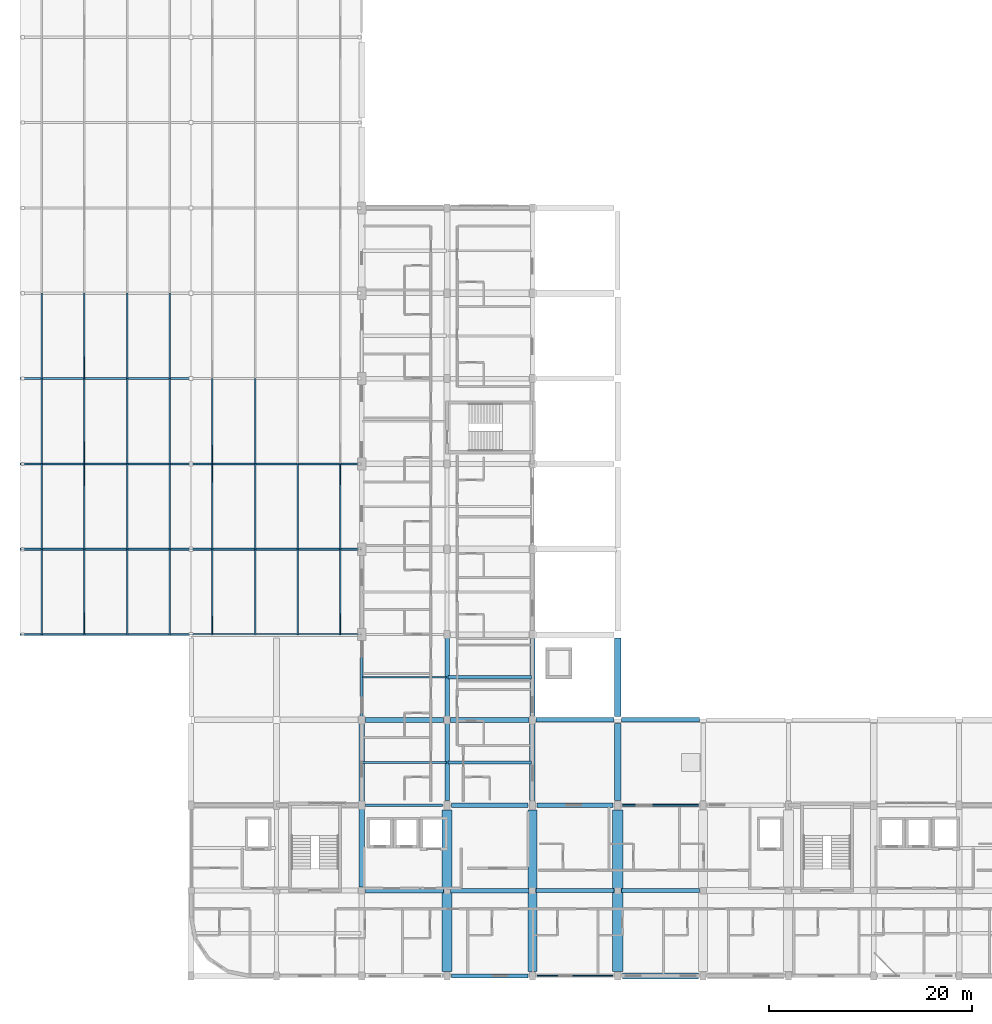
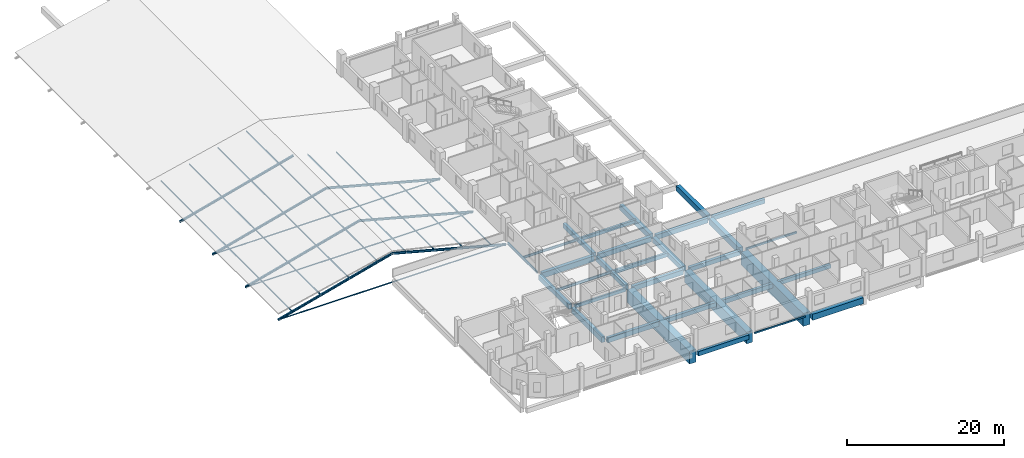
# One storey, part 3 of 42: 36 members, 31 beams.
"""IFC4 building model written with IfcOpenShell, lengths in metres."""

from ifc_helpers import new_model, si_unit, derived_unit, direction, frame, origin, origin_2d, place, context, subcontext, project, spatial, rectangle, hollow_rectangle, hollow_circle, i_section, extrude, material, material_profile, profile_set, type_object, element, save


model = new_model("IFC4")

# Units and contexts
model_context = context("Model", 3, precision=1e-05, world=origin(), true_north=direction((0.0, 1.0)))
body_context = subcontext(model_context, "Body", "Model", "MODEL_VIEW")
ifc_project = project(units=[si_unit("LENGTHUNIT", "METRE"), si_unit("AREAUNIT", "SQUARE_METRE"), si_unit("VOLUMEUNIT", "CUBIC_METRE"), si_unit("PLANEANGLEUNIT", "RADIAN"), si_unit("MASSUNIT", "GRAM", prefix="KILO"), derived_unit("THERMALTRANSMITTANCEUNIT", [(si_unit("POWERUNIT", "WATT"), 1), (si_unit("LENGTHUNIT", "METRE"), -2), (si_unit("THERMODYNAMICTEMPERATUREUNIT", "KELVIN"), -1)])], contexts=[model_context])

# Site, building, storey
site_placement = place(None, origin())
site = spatial("IfcSite", under=ifc_project, at=site_placement, CompositionType="ELEMENT")
building_placement = place(site_placement, origin())
building = spatial("IfcBuilding", under=site, at=building_placement, Name="Barrovel Congress Hotel", CompositionType="ELEMENT")
storey_placement = place(building_placement, frame((0.0, 0.0, 18.300048828125)))
storey = spatial("IfcBuildingStorey", under=building, at=storey_placement, Name="L04", CompositionType="ELEMENT", Elevation=18.300048828125)

# Beams
ifc_material_1 = material(Name="Concrete C40", Category="concrete")
ifc_material_profile_1 = material_profile(ifc_material_1, rectangle(XDim=0.25, YDim=0.5, at=origin_2d()), Name="RC250x500")
ifc_profile_set_1 = profile_set([ifc_material_profile_1], Name="Concrete C40")
beam_type_1 = type_object("IfcBeamType", Name="BM-RC250x500", PredefinedType="SPANDREL", material=ifc_profile_set_1)
beam_1_placement = place(storey_placement, frame((33.949951171875, 21.0, -0.550048828125), z_axis=(1.0, 0.0, 0.0), x_axis=(0.0, 1.0, 0.0)))
element("IfcBeam", 1, at=beam_1_placement, inside=storey, type_object=beam_type_1, Name="BMX:L04:21.0:33.6-42.0", PredefinedType="SPANDREL", context=body_context, shape_type="SweptSolid", body=[
    extrude(rectangle(XDim=0.25, YDim=0.5, at=origin_2d()), origin(), (0.0, 0.0, 1.0), 7.60009765625),
])
ifc_material_profile_2 = material_profile(ifc_material_1, rectangle(XDim=0.300048828125, YDim=0.5, at=origin_2d()), Name="RC300x500")
ifc_profile_set_2 = profile_set([ifc_material_profile_2], Name="Concrete C40")
beam_type_2 = type_object("IfcBeamType", Name="BM-RC300x500", PredefinedType="JOIST", material=ifc_profile_set_2)
beam_2_placement = place(storey_placement, frame((42.080078125, 33.60009765625, -0.550048828125), z_axis=(1.0, 0.0, 0.0), x_axis=(0.0, 1.0, 0.0)))
element("IfcBeam", 2, at=beam_2_placement, inside=storey, type_object=beam_type_2, Name="JST:L04:42.0:33.6", PredefinedType="JOIST", context=body_context, shape_type="SweptSolid", body=[
    extrude(rectangle(XDim=0.300048828125, YDim=0.5, at=origin_2d()), origin(), (0.0, 0.0, 1.0), 8.239990234375),
])
ifc_material_profile_3 = material_profile(ifc_material_1, rectangle(XDim=0.300048828125, YDim=0.60009765625, at=origin_2d()), Name="RC300x600")
ifc_profile_set_3 = profile_set([ifc_material_profile_3], Name="Concrete C40")
beam_type_3 = type_object("IfcBeamType", Name="BM-RC300x600", PredefinedType="JOIST", material=ifc_profile_set_3)
beam_3_placement = place(storey_placement, frame((42.080078125, 25.199951171875, -0.60009765625), z_axis=(1.0, 0.0, 0.0), x_axis=(0.0, 1.0, 0.0)))
element("IfcBeam", 3, at=beam_3_placement, inside=storey, type_object=beam_type_3, Name="JST:L04:42.0:25.2", PredefinedType="JOIST", context=body_context, shape_type="SweptSolid", body=[
    extrude(rectangle(XDim=0.300048828125, YDim=0.60009765625, at=origin_2d()), origin(), (0.0, 0.0, 1.0), 8.239990234375),
])
ifc_material_profile_4 = material_profile(ifc_material_1, rectangle(XDim=0.39990234375, YDim=0.60009765625, at=origin_2d()), Name="RC400x600")
ifc_profile_set_4 = profile_set([ifc_material_profile_4], Name="Concrete C40")
beam_type_4 = type_object("IfcBeamType", Name="BM-RC400x600", PredefinedType="BEAM", material=ifc_profile_set_4)
beam_4_placement = place(storey_placement, frame((59.14990234375, 12.60009765625, -0.60009765625), z_axis=(1.0, 0.0, 0.0), x_axis=(0.0, 1.0, 0.0)))
element("IfcBeam", 4, at=beam_4_placement, inside=storey, type_object=beam_type_4, Name="BMX:L04:12.6:58.8-67.2", PredefinedType="BEAM", context=body_context, shape_type="SweptSolid", body=[
    extrude(rectangle(XDim=0.39990234375, YDim=0.60009765625, at=origin_2d()), origin(), (0.0, 0.0, 1.0), 7.7001953125),
])
ifc_material_profile_5 = material_profile(ifc_material_1, rectangle(XDim=0.39990234375, YDim=0.699951171875, at=origin_2d()), Name="RC400x700")
ifc_profile_set_5 = profile_set([ifc_material_profile_5], Name="Concrete C40")
beam_type_5 = type_object("IfcBeamType", Name="BM-RC400x700", PredefinedType="BEAM", material=ifc_profile_set_5)
beam_5_placement = place(storey_placement, frame((42.449951171875, 4.199951171875, -0.650146484375), z_axis=(1.0, 0.0, 0.0), x_axis=(0.0, 1.0, 0.0)))
element("IfcBeam", 5, at=beam_5_placement, inside=storey, type_object=beam_type_5, Name="BMX:L04:4.2:42.0-50.4", PredefinedType="BEAM", context=body_context, shape_type="SweptSolid", body=[
    extrude(rectangle(XDim=0.39990234375, YDim=0.699951171875, at=origin_2d()), origin(), (0.0, 0.0, 1.0), 7.5),
])
beam_6_placement = place(storey_placement, frame((50.75, 12.60009765625, -0.650146484375), z_axis=(1.0, 0.0, 0.0), x_axis=(0.0, 1.0, 0.0)))
element("IfcBeam", 6, at=beam_6_placement, inside=storey, type_object=beam_type_5, Name="BMX:L04:12.6:50.4-58.8", PredefinedType="BEAM", context=body_context, shape_type="SweptSolid", body=[
    extrude(rectangle(XDim=0.39990234375, YDim=0.699951171875, at=origin_2d()), origin(), (0.0, 0.0, 1.0), 7.699951171875),
])
ifc_material_profile_6 = material_profile(ifc_material_1, rectangle(XDim=0.449951171875, YDim=0.64990234375, at=origin_2d()), Name="RC450x650")
ifc_profile_set_6 = profile_set([ifc_material_profile_6], Name="Concrete C40")
beam_type_6 = type_object("IfcBeamType", Name="BM-RC450x650", PredefinedType="BEAM", material=ifc_profile_set_6)
beam_7_placement = place(storey_placement, frame((42.35009765625, 12.60009765625, -0.625), z_axis=(1.0, 0.0, 0.0), x_axis=(0.0, 1.0, 0.0)))
element("IfcBeam", 7, at=beam_7_placement, inside=storey, type_object=beam_type_6, Name="BMX:L04:12.6:42.0-50.4", PredefinedType="BEAM", context=body_context, shape_type="SweptSolid", body=[
    extrude(rectangle(XDim=0.449951171875, YDim=0.64990234375, at=origin_2d()), origin(), (0.0, 0.0, 1.0), 7.699951171875),
])
beam_8_placement = place(storey_placement, frame((50.85009765625, 21.0, -0.625), z_axis=(1.0, 0.0, 0.0), x_axis=(0.0, 1.0, 0.0)))
element("IfcBeam", 8, at=beam_8_placement, inside=storey, type_object=beam_type_6, Name="BMX:L04:21.0:50.4-58.8", PredefinedType="BEAM", context=body_context, shape_type="SweptSolid", body=[
    extrude(rectangle(XDim=0.449951171875, YDim=0.64990234375, at=origin_2d()), origin(), (0.0, 0.0, 1.0), 7.5),
])
beam_9_placement = place(storey_placement, frame((59.14990234375, 29.39990234375, -0.625), z_axis=(1.0, 0.0, 0.0), x_axis=(0.0, 1.0, 0.0)))
element("IfcBeam", 9, at=beam_9_placement, inside=storey, type_object=beam_type_6, Name="BMX:L04:29.4:58.8-67.2", PredefinedType="BEAM", context=body_context, shape_type="SweptSolid", body=[
    extrude(rectangle(XDim=0.449951171875, YDim=0.64990234375, at=origin_2d()), origin(), (0.0, 0.0, 1.0), 7.7001953125),
])
beam_10_placement = place(storey_placement, frame((42.0, 29.75, -0.625), z_axis=(0.0, 1.0, 0.0), x_axis=(-1.0, 0.0, 0.0)))
element("IfcBeam", 10, at=beam_10_placement, inside=storey, type_object=beam_type_6, Name="BMY:L04:42.0:29.4-37.8", PredefinedType="BEAM", context=body_context, shape_type="SweptSolid", body=[
    extrude(rectangle(XDim=0.449951171875, YDim=0.64990234375, at=origin_2d()), origin(), (0.0, 0.0, 1.0), 7.699951171875),
])
ifc_material_profile_7 = material_profile(ifc_material_1, rectangle(XDim=0.449951171875, YDim=0.75, at=origin_2d()), Name="RC450x750")
ifc_profile_set_7 = profile_set([ifc_material_profile_7], Name="Concrete C40")
beam_type_7 = type_object("IfcBeamType", Name="BM-RC450x750", PredefinedType="BEAM", material=ifc_profile_set_7)
beam_11_placement = place(storey_placement, frame((33.949951171875, 12.60009765625, -0.675048828125), z_axis=(1.0, 0.0, 0.0), x_axis=(0.0, 1.0, 0.0)))
element("IfcBeam", 11, at=beam_11_placement, inside=storey, type_object=beam_type_7, Name="BMX:L04:12.6:33.6-42.0", PredefinedType="BEAM", context=body_context, shape_type="SweptSolid", body=[
    extrude(rectangle(XDim=0.449951171875, YDim=0.75, at=origin_2d()), origin(), (0.0, 0.0, 1.0), 7.699951171875),
])
beam_12_placement = place(storey_placement, frame((42.449951171875, 21.0, -0.675048828125), z_axis=(1.0, 0.0, 0.0), x_axis=(0.0, 1.0, 0.0)))
element("IfcBeam", 12, at=beam_12_placement, inside=storey, type_object=beam_type_7, Name="BMX:L04:21.0:42.0-50.4", PredefinedType="BEAM", context=body_context, shape_type="SweptSolid", body=[
    extrude(rectangle(XDim=0.449951171875, YDim=0.75, at=origin_2d()), origin(), (0.0, 0.0, 1.0), 7.5),
])
beam_13_placement = place(storey_placement, frame((50.75, 29.39990234375, -0.675048828125), z_axis=(1.0, 0.0, 0.0), x_axis=(0.0, 1.0, 0.0)))
element("IfcBeam", 13, at=beam_13_placement, inside=storey, type_object=beam_type_7, Name="BMX:L04:29.4:50.4-58.8", PredefinedType="BEAM", context=body_context, shape_type="SweptSolid", body=[
    extrude(rectangle(XDim=0.449951171875, YDim=0.75, at=origin_2d()), origin(), (0.0, 0.0, 1.0), 7.699951171875),
])
beam_14_placement = place(storey_placement, frame((42.0, 21.449951171875, -0.675048828125), z_axis=(0.0, 1.0, 0.0), x_axis=(-1.0, 0.0, 0.0)))
element("IfcBeam", 14, at=beam_14_placement, inside=storey, type_object=beam_type_7, Name="BMY:L04:42.0:21.0-29.4", PredefinedType="BEAM", context=body_context, shape_type="SweptSolid", body=[
    extrude(rectangle(XDim=0.449951171875, YDim=0.75, at=origin_2d()), origin(), (0.0, 0.0, 1.0), 7.60009765625),
])
ifc_material_profile_8 = material_profile(ifc_material_1, rectangle(XDim=0.5, YDim=0.75, at=origin_2d()), Name="RC500x750")
ifc_profile_set_8 = profile_set([ifc_material_profile_8], Name="Concrete C40")
beam_type_8 = type_object("IfcBeamType", Name="BM-RC500x750", PredefinedType="BEAM", material=ifc_profile_set_8)
for number, where, z_axis, x_axis, name in (
    (15, (42.35009765625, 29.39990234375, -0.675048828125), (1.0, 0.0, 0.0), (0.0, 1.0, 0.0), "BMX:L04:29.4:42.0-50.4"),
    (16, (33.60009765625, 21.35009765625, -0.675048828125), (0.0, 1.0, 0.0), (-1.0, 0.0, 0.0), "BMY:L04:33.6:21.0-29.4"),
):
    element("IfcBeam", number, at=place(storey_placement, frame(where, z_axis=z_axis, x_axis=x_axis)), inside=storey, type_object=beam_type_8, Name=name, PredefinedType="BEAM", context=body_context, shape_type="SweptSolid", body=[
        extrude(rectangle(XDim=0.5, YDim=0.75, at=origin_2d()), origin(), (0.0, 0.0, 1.0), 7.699951171875),
    ])
ifc_material_profile_9 = material_profile(ifc_material_1, rectangle(XDim=0.5, YDim=0.85009765625, at=origin_2d()), Name="RC500x850")
ifc_profile_set_9 = profile_set([ifc_material_profile_9], Name="Concrete C40")
beam_type_9 = type_object("IfcBeamType", Name="BM-RC500x850", PredefinedType="BEAM", material=ifc_profile_set_9)
for number, where, z_axis, x_axis, name in (
    (17, (33.949951171875, 29.39990234375, -0.72509765625), (1.0, 0.0, 0.0), (0.0, 1.0, 0.0), "BMX:L04:29.4:33.6-42.0"),
    (18, (33.60009765625, 12.949951171875, -0.72509765625), (0.0, 1.0, 0.0), (-1.0, 0.0, 0.0), "BMY:L04:33.6:12.6-21.0"),
    (19, (50.39990234375, 29.75, -0.72509765625), (0.0, 1.0, 0.0), (-1.0, 0.0, 0.0), "BMY:L04:50.4:29.4-37.8"),
):
    element("IfcBeam", number, at=place(storey_placement, frame(where, z_axis=z_axis, x_axis=x_axis)), inside=storey, type_object=beam_type_9, Name=name, PredefinedType="BEAM", context=body_context, shape_type="SweptSolid", body=[
        extrude(rectangle(XDim=0.5, YDim=0.85009765625, at=origin_2d()), origin(), (0.0, 0.0, 1.0), 7.699951171875),
    ])
ifc_material_profile_10 = material_profile(ifc_material_1, rectangle(XDim=0.550048828125, YDim=0.800048828125, at=origin_2d()), Name="RC550x800")
ifc_profile_set_10 = profile_set([ifc_material_profile_10], Name="Concrete C40")
beam_type_10 = type_object("IfcBeamType", Name="BM-RC550x800", PredefinedType="BEAM", material=ifc_profile_set_10)
beam_15_placement = place(storey_placement, frame((50.39990234375, 21.449951171875, -0.699951171875), z_axis=(0.0, 1.0, 0.0), x_axis=(-1.0, 0.0, 0.0)))
element("IfcBeam", 20, at=beam_15_placement, inside=storey, type_object=beam_type_10, Name="BMY:L04:50.4:21.0-29.4", PredefinedType="BEAM", context=body_context, shape_type="SweptSolid", body=[
    extrude(rectangle(XDim=0.550048828125, YDim=0.800048828125, at=origin_2d()), origin(), (0.0, 0.0, 1.0), 7.60009765625),
])
ifc_material_profile_11 = material_profile(ifc_material_1, rectangle(XDim=0.60009765625, YDim=0.85009765625, at=origin_2d()), Name="RC600x850")
ifc_profile_set_11 = profile_set([ifc_material_profile_11], Name="Concrete C40")
beam_type_11 = type_object("IfcBeamType", Name="BM-RC600x850", PredefinedType="BEAM", material=ifc_profile_set_11)
beam_16_placement = place(storey_placement, frame((58.800048828125, 29.75, -0.72509765625), z_axis=(0.0, 1.0, 0.0), x_axis=(-1.0, 0.0, 0.0)))
element("IfcBeam", 21, at=beam_16_placement, inside=storey, type_object=beam_type_11, Name="BMY:L04:58.8:29.4-37.8", PredefinedType="BEAM", context=body_context, shape_type="SweptSolid", body=[
    extrude(rectangle(XDim=0.60009765625, YDim=0.85009765625, at=origin_2d()), origin(), (0.0, 0.0, 1.0), 7.699951171875),
])
ifc_material_profile_12 = material_profile(ifc_material_1, rectangle(XDim=0.60009765625, YDim=0.949951171875, at=origin_2d()), Name="RC600x950")
ifc_profile_set_12 = profile_set([ifc_material_profile_12], Name="Concrete C40")
beam_type_12 = type_object("IfcBeamType", Name="BM-RC600x950", PredefinedType="BEAM", material=ifc_profile_set_12)
beam_17_placement = place(storey_placement, frame((59.25, 4.199951171875, -0.775146484375), z_axis=(1.0, 0.0, 0.0), x_axis=(0.0, 1.0, 0.0)))
element("IfcBeam", 22, at=beam_17_placement, inside=storey, type_object=beam_type_12, Name="BMX:L04:4.2:58.8-67.2", PredefinedType="BEAM", context=body_context, shape_type="SweptSolid", body=[
    extrude(rectangle(XDim=0.60009765625, YDim=0.949951171875, at=origin_2d()), origin(), (0.0, 0.0, 1.0), 7.5),
])
beam_18_placement = place(storey_placement, frame((58.800048828125, 21.449951171875, -0.775146484375), z_axis=(0.0, 1.0, 0.0), x_axis=(-1.0, 0.0, 0.0)))
element("IfcBeam", 23, at=beam_18_placement, inside=storey, type_object=beam_type_12, Name="BMY:L04:58.8:21.0-29.4", PredefinedType="BEAM", context=body_context, shape_type="SweptSolid", body=[
    extrude(rectangle(XDim=0.60009765625, YDim=0.949951171875, at=origin_2d()), origin(), (0.0, 0.0, 1.0), 7.60009765625),
])

# Members
ifc_material_2 = material(Name="Steel ASTM A500 Grade C", Category="steel")
ifc_material_profile_13 = material_profile(ifc_material_2, hollow_circle(Radius=0.05712890625, WallThickness=0.005615234375, at=origin_2d()), Name="CHS114.3x6.0")
ifc_profile_set_13 = profile_set([ifc_material_profile_13], Name="Steel ASTM A500 Grade C")
member_type_1 = type_object("IfcMemberType", Name="MEM-CHS114.3x6.0", PredefinedType="STRUT", material=ifc_profile_set_13)
for number, where, z_axis, x_axis, name in (
    (24, (0.0, 37.800048828125, -0.949951171875), (1.0, 0.0, 0.0), (0.0, 1.0, 0.0), "V1-RAF-TIE:0"),
    (25, (0.0, 46.199951171875, -0.949951171875), (1.0, 0.0, 0.0), (0.0, 1.0, 0.0), "V1-RAF-TIE:1"),
    (26, (0.0, 54.60009765625, -0.949951171875), (1.0, 0.0, 0.0), (0.0, 1.0, 0.0), "V1-RAF-TIE:2"),
):
    element("IfcMember", number, at=place(storey_placement, frame(where, z_axis=z_axis, x_axis=x_axis)), inside=storey, type_object=member_type_1, Name=name, PredefinedType="STRUT", context=body_context, shape_type="SweptSolid", body=[
        extrude(hollow_circle(Radius=0.05712890625, WallThickness=0.005615234375, at=origin_2d()), origin(), (0.0, 0.0, 1.0), 33.60009765625),
    ])
ifc_material_profile_14 = material_profile(ifc_material_2, hollow_rectangle(XDim=0.1015625, YDim=0.203125, WallThickness=0.00732421875, InnerFilletRadius=0.00732421875, OuterFilletRadius=0.014892578125, at=origin_2d()), Name="HSS203x102x7.9")
ifc_profile_set_14 = profile_set([ifc_material_profile_14], Name="Steel ASTM A500 Grade C")
member_type_2 = type_object("IfcMemberType", Name="MEM-HSS203x102x7.9", PredefinedType="PURLIN", material=ifc_profile_set_14)
member_1_placement = place(storey_placement, frame((2.10009765625, 37.800048828125, -0.389404296875), z_axis=(0.0, 1.0, 0.0), x_axis=(-1.0, 0.0, 0.0)))
element("IfcMember", 27, at=member_1_placement, inside=storey, type_object=member_type_2, Name="SF-PUR:0:0", PredefinedType="PURLIN", context=body_context, shape_type="SweptSolid", body=[
    extrude(hollow_rectangle(XDim=0.1015625, YDim=0.203125, WallThickness=0.00732421875, InnerFilletRadius=0.00732421875, OuterFilletRadius=0.014892578125, at=origin_2d()), origin(), (0.0, 0.0, 1.0), 8.39990234375),
])
member_2_placement = place(storey_placement, frame((2.10009765625, 46.199951171875, -0.389404296875), z_axis=(0.0, 1.0, 0.0), x_axis=(-1.0, 0.0, 0.0)))
element("IfcMember", 28, at=member_2_placement, inside=storey, type_object=member_type_2, Name="SF-PUR:0:1", PredefinedType="PURLIN", context=body_context, shape_type="SweptSolid", body=[
    extrude(hollow_rectangle(XDim=0.1015625, YDim=0.203125, WallThickness=0.00732421875, InnerFilletRadius=0.00732421875, OuterFilletRadius=0.014892578125, at=origin_2d()), origin(), (0.0, 0.0, 1.0), 8.400146484375),
])
for number, where, z_axis, x_axis, name in (
    (29, (2.10009765625, 54.60009765625, -0.389404296875), (0.0, 1.0, 0.0), (-1.0, 0.0, 0.0), "SF-PUR:0:2"),
    (30, (2.10009765625, 63.0, -0.389404296875), (0.0, 1.0, 0.0), (-1.0, 0.0, 0.0), "SF-PUR:0:3"),
    (31, (6.300048828125, 37.800048828125, 0.7314453125), (0.0, 1.0, 0.0), (-1.0, 0.0, 0.0), "SF-PUR:1:0"),
):
    element("IfcMember", number, at=place(storey_placement, frame(where, z_axis=z_axis, x_axis=x_axis)), inside=storey, type_object=member_type_2, Name=name, PredefinedType="PURLIN", context=body_context, shape_type="SweptSolid", body=[
        extrude(hollow_rectangle(XDim=0.1015625, YDim=0.203125, WallThickness=0.00732421875, InnerFilletRadius=0.00732421875, OuterFilletRadius=0.014892578125, at=origin_2d()), origin(), (0.0, 0.0, 1.0), 8.39990234375),
    ])
member_3_placement = place(storey_placement, frame((6.300048828125, 46.199951171875, 0.7314453125), z_axis=(0.0, 1.0, 0.0), x_axis=(-1.0, 0.0, 0.0)))
element("IfcMember", 32, at=member_3_placement, inside=storey, type_object=member_type_2, Name="SF-PUR:1:1", PredefinedType="PURLIN", context=body_context, shape_type="SweptSolid", body=[
    extrude(hollow_rectangle(XDim=0.1015625, YDim=0.203125, WallThickness=0.00732421875, InnerFilletRadius=0.00732421875, OuterFilletRadius=0.014892578125, at=origin_2d()), origin(), (0.0, 0.0, 1.0), 8.400146484375),
])
for number, where, z_axis, x_axis, name in (
    (33, (6.300048828125, 54.60009765625, 0.7314453125), (0.0, 1.0, 0.0), (-1.0, 0.0, 0.0), "SF-PUR:1:2"),
    (34, (6.300048828125, 63.0, 0.7314453125), (0.0, 1.0, 0.0), (-1.0, 0.0, 0.0), "SF-PUR:1:3"),
    (35, (10.5, 37.800048828125, 1.852783203125), (0.0, 1.0, 0.0), (-1.0, 0.0, 0.0), "SF-PUR:2:0"),
):
    element("IfcMember", number, at=place(storey_placement, frame(where, z_axis=z_axis, x_axis=x_axis)), inside=storey, type_object=member_type_2, Name=name, PredefinedType="PURLIN", context=body_context, shape_type="SweptSolid", body=[
        extrude(hollow_rectangle(XDim=0.1015625, YDim=0.203125, WallThickness=0.00732421875, InnerFilletRadius=0.00732421875, OuterFilletRadius=0.014892578125, at=origin_2d()), origin(), (0.0, 0.0, 1.0), 8.39990234375),
    ])
member_4_placement = place(storey_placement, frame((10.5, 46.199951171875, 1.852783203125), z_axis=(0.0, 1.0, 0.0), x_axis=(-1.0, 0.0, 0.0)))
element("IfcMember", 36, at=member_4_placement, inside=storey, type_object=member_type_2, Name="SF-PUR:2:1", PredefinedType="PURLIN", context=body_context, shape_type="SweptSolid", body=[
    extrude(hollow_rectangle(XDim=0.1015625, YDim=0.203125, WallThickness=0.00732421875, InnerFilletRadius=0.00732421875, OuterFilletRadius=0.014892578125, at=origin_2d()), origin(), (0.0, 0.0, 1.0), 8.400146484375),
])
for number, where, z_axis, x_axis, name in (
    (37, (10.5, 54.60009765625, 1.852783203125), (0.0, 1.0, 0.0), (-1.0, 0.0, 0.0), "SF-PUR:2:2"),
    (38, (10.5, 63.0, 1.852783203125), (0.0, 1.0, 0.0), (-1.0, 0.0, 0.0), "SF-PUR:2:3"),
    (39, (14.699951171875, 37.800048828125, 2.9736328125), (0.0, 1.0, 0.0), (-1.0, 0.0, 0.0), "SF-PUR:3:0"),
):
    element("IfcMember", number, at=place(storey_placement, frame(where, z_axis=z_axis, x_axis=x_axis)), inside=storey, type_object=member_type_2, Name=name, PredefinedType="PURLIN", context=body_context, shape_type="SweptSolid", body=[
        extrude(hollow_rectangle(XDim=0.1015625, YDim=0.203125, WallThickness=0.00732421875, InnerFilletRadius=0.00732421875, OuterFilletRadius=0.014892578125, at=origin_2d()), origin(), (0.0, 0.0, 1.0), 8.39990234375),
    ])
member_5_placement = place(storey_placement, frame((14.699951171875, 46.199951171875, 2.9736328125), z_axis=(0.0, 1.0, 0.0), x_axis=(-1.0, 0.0, 0.0)))
element("IfcMember", 40, at=member_5_placement, inside=storey, type_object=member_type_2, Name="SF-PUR:3:1", PredefinedType="PURLIN", context=body_context, shape_type="SweptSolid", body=[
    extrude(hollow_rectangle(XDim=0.1015625, YDim=0.203125, WallThickness=0.00732421875, InnerFilletRadius=0.00732421875, OuterFilletRadius=0.014892578125, at=origin_2d()), origin(), (0.0, 0.0, 1.0), 8.400146484375),
])
for number, where, z_axis, x_axis, name in (
    (41, (14.699951171875, 54.60009765625, 2.9736328125), (0.0, 1.0, 0.0), (-1.0, 0.0, 0.0), "SF-PUR:3:2"),
    (42, (14.699951171875, 63.0, 2.9736328125), (0.0, 1.0, 0.0), (-1.0, 0.0, 0.0), "SF-PUR:3:3"),
    (43, (18.89990234375, 37.800048828125, 2.9736328125), (0.0, 1.0, 0.0), (-1.0, 0.0, 0.0), "SF-PUR:4:0"),
):
    element("IfcMember", number, at=place(storey_placement, frame(where, z_axis=z_axis, x_axis=x_axis)), inside=storey, type_object=member_type_2, Name=name, PredefinedType="PURLIN", context=body_context, shape_type="SweptSolid", body=[
        extrude(hollow_rectangle(XDim=0.1015625, YDim=0.203125, WallThickness=0.00732421875, InnerFilletRadius=0.00732421875, OuterFilletRadius=0.014892578125, at=origin_2d()), origin(), (0.0, 0.0, 1.0), 8.39990234375),
    ])
member_6_placement = place(storey_placement, frame((18.89990234375, 46.199951171875, 2.9736328125), z_axis=(0.0, 1.0, 0.0), x_axis=(-1.0, 0.0, 0.0)))
element("IfcMember", 44, at=member_6_placement, inside=storey, type_object=member_type_2, Name="SF-PUR:4:1", PredefinedType="PURLIN", context=body_context, shape_type="SweptSolid", body=[
    extrude(hollow_rectangle(XDim=0.1015625, YDim=0.203125, WallThickness=0.00732421875, InnerFilletRadius=0.00732421875, OuterFilletRadius=0.014892578125, at=origin_2d()), origin(), (0.0, 0.0, 1.0), 8.400146484375),
])
for number, where, z_axis, x_axis, name in (
    (45, (18.89990234375, 54.60009765625, 2.9736328125), (0.0, 1.0, 0.0), (-1.0, 0.0, 0.0), "SF-PUR:4:2"),
    (46, (23.10009765625, 37.800048828125, 1.852783203125), (0.0, 1.0, 0.0), (-1.0, 0.0, 0.0), "SF-PUR:5:0"),
):
    element("IfcMember", number, at=place(storey_placement, frame(where, z_axis=z_axis, x_axis=x_axis)), inside=storey, type_object=member_type_2, Name=name, PredefinedType="PURLIN", context=body_context, shape_type="SweptSolid", body=[
        extrude(hollow_rectangle(XDim=0.1015625, YDim=0.203125, WallThickness=0.00732421875, InnerFilletRadius=0.00732421875, OuterFilletRadius=0.014892578125, at=origin_2d()), origin(), (0.0, 0.0, 1.0), 8.39990234375),
    ])
member_7_placement = place(storey_placement, frame((23.10009765625, 46.199951171875, 1.852783203125), z_axis=(0.0, 1.0, 0.0), x_axis=(-1.0, 0.0, 0.0)))
element("IfcMember", 47, at=member_7_placement, inside=storey, type_object=member_type_2, Name="SF-PUR:5:1", PredefinedType="PURLIN", context=body_context, shape_type="SweptSolid", body=[
    extrude(hollow_rectangle(XDim=0.1015625, YDim=0.203125, WallThickness=0.00732421875, InnerFilletRadius=0.00732421875, OuterFilletRadius=0.014892578125, at=origin_2d()), origin(), (0.0, 0.0, 1.0), 8.400146484375),
])
for number, where, z_axis, x_axis, name in (
    (48, (23.10009765625, 54.60009765625, 1.852783203125), (0.0, 1.0, 0.0), (-1.0, 0.0, 0.0), "SF-PUR:5:2"),
    (49, (27.300048828125, 37.800048828125, 0.7314453125), (0.0, 1.0, 0.0), (-1.0, 0.0, 0.0), "SF-PUR:6:0"),
):
    element("IfcMember", number, at=place(storey_placement, frame(where, z_axis=z_axis, x_axis=x_axis)), inside=storey, type_object=member_type_2, Name=name, PredefinedType="PURLIN", context=body_context, shape_type="SweptSolid", body=[
        extrude(hollow_rectangle(XDim=0.1015625, YDim=0.203125, WallThickness=0.00732421875, InnerFilletRadius=0.00732421875, OuterFilletRadius=0.014892578125, at=origin_2d()), origin(), (0.0, 0.0, 1.0), 8.39990234375),
    ])
member_8_placement = place(storey_placement, frame((27.300048828125, 46.199951171875, 0.7314453125), z_axis=(0.0, 1.0, 0.0), x_axis=(-1.0, 0.0, 0.0)))
element("IfcMember", 50, at=member_8_placement, inside=storey, type_object=member_type_2, Name="SF-PUR:6:1", PredefinedType="PURLIN", context=body_context, shape_type="SweptSolid", body=[
    extrude(hollow_rectangle(XDim=0.1015625, YDim=0.203125, WallThickness=0.00732421875, InnerFilletRadius=0.00732421875, OuterFilletRadius=0.014892578125, at=origin_2d()), origin(), (0.0, 0.0, 1.0), 8.400146484375),
])
member_9_placement = place(storey_placement, frame((31.5, 37.800048828125, -0.389404296875), z_axis=(0.0, 1.0, 0.0), x_axis=(-1.0, 0.0, 0.0)))
element("IfcMember", 51, at=member_9_placement, inside=storey, type_object=member_type_2, Name="SF-PUR:7:0", PredefinedType="PURLIN", context=body_context, shape_type="SweptSolid", body=[
    extrude(hollow_rectangle(XDim=0.1015625, YDim=0.203125, WallThickness=0.00732421875, InnerFilletRadius=0.00732421875, OuterFilletRadius=0.014892578125, at=origin_2d()), origin(), (0.0, 0.0, 1.0), 8.39990234375),
])
member_10_placement = place(storey_placement, frame((31.5, 46.199951171875, -0.389404296875), z_axis=(0.0, 1.0, 0.0), x_axis=(-1.0, 0.0, 0.0)))
element("IfcMember", 52, at=member_10_placement, inside=storey, type_object=member_type_2, Name="SF-PUR:7:1", PredefinedType="PURLIN", context=body_context, shape_type="SweptSolid", body=[
    extrude(hollow_rectangle(XDim=0.1015625, YDim=0.203125, WallThickness=0.00732421875, InnerFilletRadius=0.00732421875, OuterFilletRadius=0.014892578125, at=origin_2d()), origin(), (0.0, 0.0, 1.0), 8.400146484375),
])
ifc_material_3 = material(Name="Steel ASTM A992 Grade 50", Category="steel")
ifc_material_profile_15 = material_profile(ifc_material_3, i_section(OverallWidth=0.205078125, OverallDepth=0.31005859375, WebThickness=0.009521484375, FlangeThickness=0.016357421875, FilletRadius=0.012939453125, at=origin_2d()), Name="W310x74")
ifc_profile_set_15 = profile_set([ifc_material_profile_15], Name="Steel ASTM A992 Grade 50")
member_type_3 = type_object("IfcMemberType", Name="MEM-W310x74", PredefinedType="RAFTER", material=ifc_profile_set_15)
for number, where, z_axis, x_axis, name in (
    (53, (0.0, 37.800048828125, -0.949951171875), (0.966172456981, 0.0, 0.257896846378), (0.0, 1.0, 0.0), "V1-RAF-W:0"),
    (54, (16.800048828125, 37.800048828125, 3.534423828125), (0.966172456981, 0.0, -0.257896846378), (0.0, 1.0, 0.0), "V1-RAF-E:0"),
    (55, (0.0, 46.199951171875, -0.949951171875), (0.966172456981, 0.0, 0.257896846378), (0.0, 1.0, 0.0), "V1-RAF-W:1"),
    (56, (16.800048828125, 46.199951171875, 3.534423828125), (0.966172456981, 0.0, -0.257896846378), (0.0, 1.0, 0.0), "V1-RAF-E:1"),
    (57, (0.0, 54.60009765625, -0.949951171875), (0.966172456981, 0.0, 0.257896846378), (0.0, 1.0, 0.0), "V1-RAF-W:2"),
    (58, (16.800048828125, 54.60009765625, 3.534423828125), (0.966172456981, 0.0, -0.257896846378), (0.0, 1.0, 0.0), "V1-RAF-E:2"),
    (59, (0.0, 63.0, -0.949951171875), (0.966172456981, 0.0, 0.257896846378), (0.0, 1.0, 0.0), "V1-RAF-W:3"),
):
    element("IfcMember", number, at=place(storey_placement, frame(where, z_axis=z_axis, x_axis=x_axis)), inside=storey, type_object=member_type_3, Name=name, PredefinedType="RAFTER", context=body_context, shape_type="SweptSolid", body=[
        extrude(i_section(OverallWidth=0.205078125, OverallDepth=0.31005859375, WebThickness=0.009521484375, FlangeThickness=0.016357421875, FilletRadius=0.012939453125, at=origin_2d()), origin(), (0.0, 0.0, 1.0), 17.38818359375),
    ])

# Beams
ifc_material_profile_16 = material_profile(ifc_material_2, hollow_rectangle(XDim=0.15234375, YDim=0.25390625, WallThickness=0.0087890625, InnerFilletRadius=0.0087890625, OuterFilletRadius=0.017578125, at=origin_2d()), Name="HSS254x152x9.5")
ifc_profile_set_16 = profile_set([ifc_material_profile_16], Name="Steel ASTM A500 Grade C")
beam_type_13 = type_object("IfcBeamType", Name="SBM-HSS254x152x9.5", PredefinedType="SPANDREL", material=ifc_profile_set_16)
beam_19_placement = place(storey_placement, frame((50.85009765625, 4.199951171875, -0.427001953125), z_axis=(1.0, 0.0, 0.0), x_axis=(0.0, 1.0, 0.0)))
element("IfcBeam", 60, at=beam_19_placement, inside=storey, type_object=beam_type_13, Name="BMX:L04:4.2:50.4-58.8", PredefinedType="SPANDREL", context=body_context, shape_type="SweptSolid", body=[
    extrude(hollow_rectangle(XDim=0.15234375, YDim=0.25390625, WallThickness=0.0087890625, InnerFilletRadius=0.0087890625, OuterFilletRadius=0.017578125, at=origin_2d()), origin(), (0.0, 0.0, 1.0), 7.5),
])
ifc_material_profile_17 = material_profile(ifc_material_2, hollow_rectangle(XDim=0.203125, YDim=0.3046875, WallThickness=0.01171875, InnerFilletRadius=0.01171875, OuterFilletRadius=0.023681640625, at=origin_2d()), Name="HSS305x203x12.7")
ifc_profile_set_17 = profile_set([ifc_material_profile_17], Name="Steel ASTM A500 Grade C")
beam_type_14 = type_object("IfcBeamType", Name="SBM-HSS305x203x12.7", PredefinedType="SPANDREL", material=ifc_profile_set_17)
beam_20_placement = place(storey_placement, frame((59.25, 21.0, -0.452392578125), z_axis=(1.0, 0.0, 0.0), x_axis=(0.0, 1.0, 0.0)))
element("IfcBeam", 61, at=beam_20_placement, inside=storey, type_object=beam_type_14, Name="BMX:L04:21.0:58.8-67.2", PredefinedType="SPANDREL", context=body_context, shape_type="SweptSolid", body=[
    extrude(hollow_rectangle(XDim=0.203125, YDim=0.3046875, WallThickness=0.01171875, InnerFilletRadius=0.01171875, OuterFilletRadius=0.023681640625, at=origin_2d()), origin(), (0.0, 0.0, 1.0), 7.5),
])
ifc_material_profile_18 = material_profile(ifc_material_3, i_section(OverallWidth=0.205078125, OverallDepth=0.31005859375, WebThickness=0.009521484375, FlangeThickness=0.016357421875, FilletRadius=0.012939453125, at=origin_2d()), Name="W310x74")
ifc_profile_set_18 = profile_set([ifc_material_profile_18], Name="Steel ASTM A992 Grade 50")
beam_type_15 = type_object("IfcBeamType", Name="SBM-W310x74", PredefinedType="SPANDREL", material=ifc_profile_set_18)
beam_21_placement = place(storey_placement, frame((33.60009765625, 29.75, -0.455078125), z_axis=(0.0, 1.0, 0.0), x_axis=(-1.0, 0.0, 0.0)))
element("IfcBeam", 62, at=beam_21_placement, inside=storey, type_object=beam_type_15, Name="BMY:L04:33.6:29.4-37.8", PredefinedType="SPANDREL", context=body_context, shape_type="SweptSolid", body=[
    extrude(i_section(OverallWidth=0.205078125, OverallDepth=0.31005859375, WebThickness=0.009521484375, FlangeThickness=0.016357421875, FilletRadius=0.012939453125, at=origin_2d()), origin(), (0.0, 0.0, 1.0), 7.60009765625),
])
ifc_material_profile_19 = material_profile(ifc_material_3, i_section(OverallWidth=0.172119140625, OverallDepth=0.35791015625, WebThickness=0.0078125, FlangeThickness=0.01318359375, FilletRadius=0.011962890625, at=origin_2d()), Name="W360x57")
ifc_profile_set_19 = profile_set([ifc_material_profile_19], Name="Steel ASTM A992 Grade 50")
beam_type_16 = type_object("IfcBeamType", Name="SBM-W360x57", PredefinedType="JOIST", material=ifc_profile_set_19)
beam_22_placement = place(storey_placement, frame((33.679931640625, 33.60009765625, -0.47900390625), z_axis=(1.0, 0.0, 0.0), x_axis=(0.0, 1.0, 0.0)))
element("IfcBeam", 63, at=beam_22_placement, inside=storey, type_object=beam_type_16, Name="JST:L04:33.6:33.6", PredefinedType="JOIST", context=body_context, shape_type="SweptSolid", body=[
    extrude(i_section(OverallWidth=0.172119140625, OverallDepth=0.35791015625, WebThickness=0.0078125, FlangeThickness=0.01318359375, FilletRadius=0.011962890625, at=origin_2d()), origin(), (0.0, 0.0, 1.0), 8.239990234375),
])
ifc_material_profile_20 = material_profile(ifc_material_3, i_section(OverallWidth=0.177001953125, OverallDepth=0.403076171875, WebThickness=0.007568359375, FlangeThickness=0.010986328125, FilletRadius=0.011962890625, at=origin_2d()), Name="W410x53")
ifc_profile_set_20 = profile_set([ifc_material_profile_20], Name="Steel ASTM A992 Grade 50")
beam_type_17 = type_object("IfcBeamType", Name="SBM-W410x53", PredefinedType="JOIST", material=ifc_profile_set_20)
beam_23_placement = place(storey_placement, frame((33.679931640625, 25.199951171875, -0.50146484375), z_axis=(1.0, 0.0, 0.0), x_axis=(0.0, 1.0, 0.0)))
element("IfcBeam", 64, at=beam_23_placement, inside=storey, type_object=beam_type_17, Name="JST:L04:33.6:25.2", PredefinedType="JOIST", context=body_context, shape_type="SweptSolid", body=[
    extrude(i_section(OverallWidth=0.177001953125, OverallDepth=0.403076171875, WebThickness=0.007568359375, FlangeThickness=0.010986328125, FilletRadius=0.011962890625, at=origin_2d()), origin(), (0.0, 0.0, 1.0), 8.239990234375),
])
ifc_material_4 = material(Name="Concrete C50", Category="concrete")
ifc_material_profile_21 = material_profile(ifc_material_4, rectangle(XDim=1.0, YDim=2.0, at=origin_2d()), Name="RC1000x2000")
ifc_profile_set_21 = profile_set([ifc_material_profile_21], Name="Concrete C50")
beam_type_18 = type_object("IfcBeamType", Name="TG-RC1000x2000", PredefinedType="BEAM", material=ifc_profile_set_21)
for number, where, z_axis, x_axis, name in (
    (65, (42.0, 4.64990234375, -1.300048828125), (0.0, 1.0, 0.0), (-1.0, 0.0, 0.0), "Transfer Girder TG-RC1000x2000 at Grid 42.0"),
    (66, (58.800048828125, 4.64990234375, -1.300048828125), (0.0, 1.0, 0.0), (-1.0, 0.0, 0.0), "Transfer Girder TG-RC1000x2000 at Grid 58.8"),
):
    element("IfcBeam", number, at=place(storey_placement, frame(where, z_axis=z_axis, x_axis=x_axis)), inside=storey, type_object=beam_type_18, Name=name, PredefinedType="BEAM", context=body_context, shape_type="SweptSolid", body=[
        extrude(rectangle(XDim=1.0, YDim=2.0, at=origin_2d()), origin(), (0.0, 0.0, 1.0), 15.900146484375),
    ])
ifc_material_profile_22 = material_profile(ifc_material_4, rectangle(XDim=0.89990234375, YDim=1.800048828125, at=origin_2d()), Name="RC900x1800")
ifc_profile_set_22 = profile_set([ifc_material_profile_22], Name="Concrete C50")
beam_type_19 = type_object("IfcBeamType", Name="TG-RC900x1800", PredefinedType="BEAM", material=ifc_profile_set_22)
beam_24_placement = place(storey_placement, frame((50.39990234375, 4.64990234375, -1.199951171875), z_axis=(0.0, 1.0, 0.0), x_axis=(-1.0, 0.0, 0.0)))
element("IfcBeam", 67, at=beam_24_placement, inside=storey, type_object=beam_type_19, Name="Transfer Girder TG-RC900x1800 at Grid 50.4", PredefinedType="BEAM", context=body_context, shape_type="SweptSolid", body=[
    extrude(rectangle(XDim=0.89990234375, YDim=1.800048828125, at=origin_2d()), origin(), (0.0, 0.0, 1.0), 15.900146484375),
])

save(model, "model.ifc")
